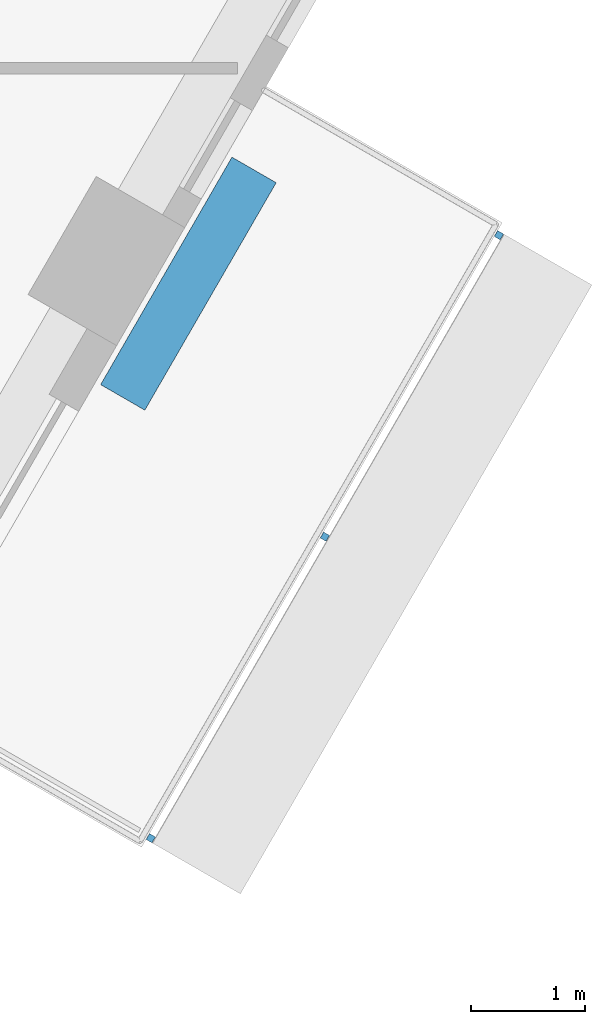
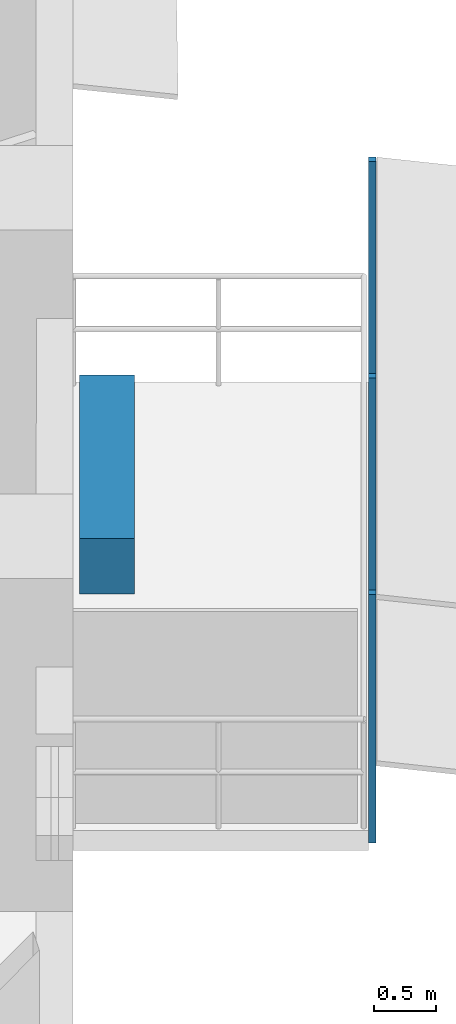
# One storey, part 12 of 16: 4 discrete accessories.
"""IFC4 building model written with IfcOpenShell, lengths in metres."""

from ifc_helpers import new_model, si_unit, direction, frame, origin, origin_2d, place, context, subcontext, project, spatial, rectangle, extrude, material, type_object, element, save


model = new_model("IFC4")

# Units and contexts
model_context = context("Model", 3, precision=1e-05, world=origin(), true_north=direction((0.0, 1.0)))
body_context = subcontext(model_context, "Body", "Model", "MODEL_VIEW")
ifc_project = project(units=[si_unit("LENGTHUNIT", "METRE"), si_unit("AREAUNIT", "SQUARE_METRE"), si_unit("VOLUMEUNIT", "CUBIC_METRE"), si_unit("PLANEANGLEUNIT", "RADIAN"), si_unit("MASSUNIT", "GRAM", prefix="KILO")], contexts=[model_context])

# Site, building, storey
site_placement = place(None, origin())
site = spatial("IfcSite", under=ifc_project, at=site_placement, CompositionType="ELEMENT")
building_placement = place(site_placement, origin())
building = spatial("IfcBuilding", under=site, at=building_placement, Name="Nakaniwa Court", CompositionType="ELEMENT")
storey_placement = place(building_placement, frame((0.0, 0.0, 196.5)))
storey = spatial("IfcBuildingStorey", under=building, at=storey_placement, Name="L51", CompositionType="ELEMENT", Elevation=196.5)

# Discrete accessories
ifc_material_1 = material(Name="Black powder-coated steel bracket S275", Category="steel")
discrete_accessory_type_1 = type_object("IfcDiscreteAccessoryType", Name="Black metal louvre bracket", PredefinedType="BRACKET", material=ifc_material_1)
for number, where, z_axis, x_axis, name in (
    (1, (99.5302734375, 63.66748046875, -0.22998046875), (0.0, 0.0, 1.0), (0.500016626402, 0.866015804314, 0.0), "L51 louvre bracket 02 1"),
    (2, (101.063232421875, 66.322509765625, -0.22998046875), (0.0, 0.0, 1.0), (0.500016626402, 0.866015804314, 0.0), "L51 louvre bracket 02 2"),
    (3, (102.59619140625, 68.977783203125, -0.22998046875), (0.0, 0.0, 1.0), (0.500016626402, 0.866015804314, 0.0), "L51 louvre bracket 02 3"),
):
    element("IfcDiscreteAccessory", number, at=place(storey_placement, frame(where, z_axis=z_axis, x_axis=x_axis)), inside=storey, type_object=discrete_accessory_type_1, Name=name, PredefinedType="BRACKET", context=body_context, shape_type="SweptSolid", body=[
        extrude(rectangle(XDim=0.06005859375, YDim=0.06005859375, at=origin_2d()), origin(), (0.0, 0.0, 1.0), 2.46337890625),
    ])
ifc_material_2 = material(Name="Precast concrete C40/50 planter with planted soil", Category="concrete")
discrete_accessory_type_2 = type_object("IfcDiscreteAccessoryType", Name="Planter box charcoal concrete", PredefinedType="USERDEFINED", material=ifc_material_2)
discrete_accessory_placement = place(storey_placement, frame((99.861572265625, 68.551025390625, -0.0498046875), z_axis=(0.0, 0.0, 1.0), x_axis=(0.500016626402, 0.866015804314, 0.0)))
element("IfcDiscreteAccessory", 4, at=discrete_accessory_placement, inside=storey, type_object=discrete_accessory_type_2, Name="L51 balcony PLANTER 02", ObjectType="PLANTER", PredefinedType="USERDEFINED", context=body_context, shape_type="SweptSolid", body=[
    extrude(rectangle(XDim=2.3134765625, YDim=0.449951171875, at=origin_2d()), origin(), (0.0, 0.0, 1.0), 0.550048828125),
])

save(model, "model.ifc")
